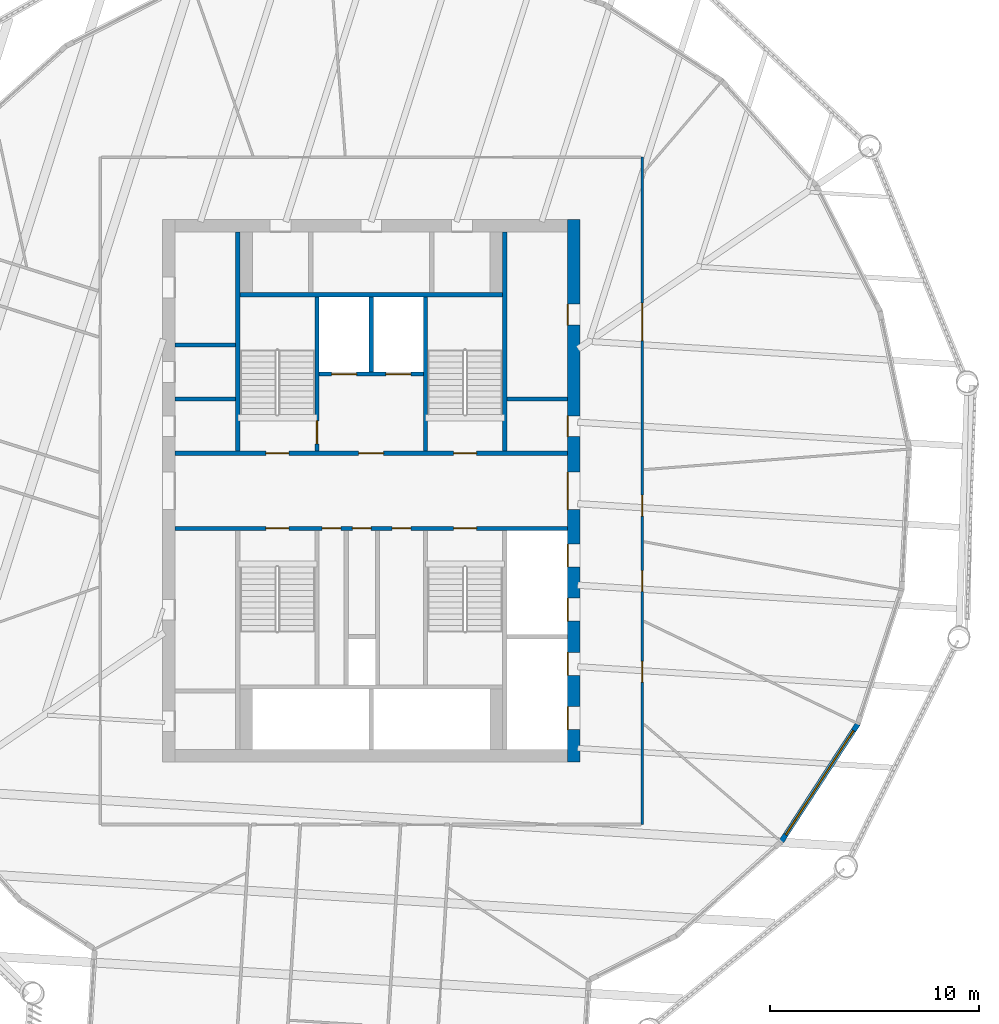
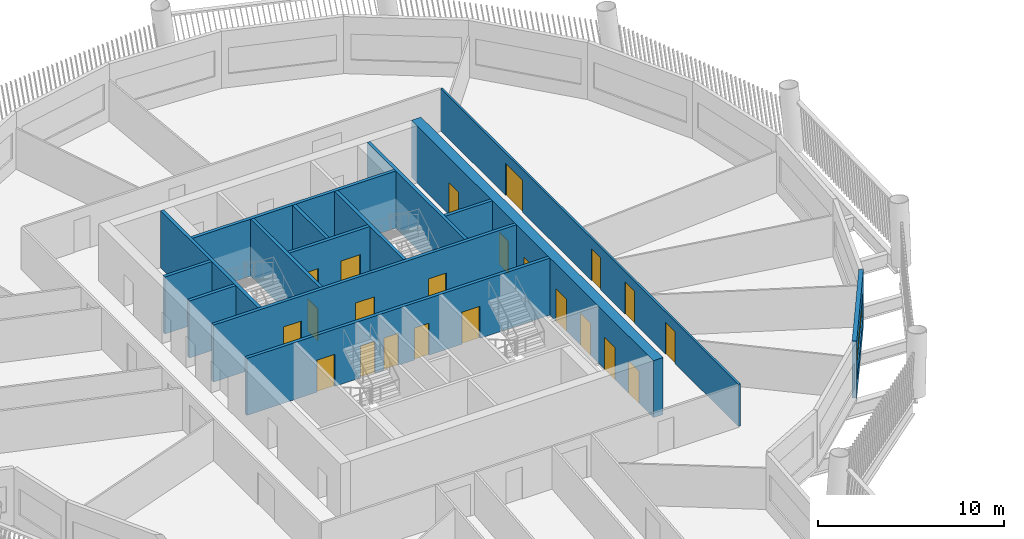
# One storey, part 5 of 15: 22 doors, 15 walls, 1 window, 23 openings.
"""IFC4 building model written with IfcOpenShell, lengths in metres."""

from ifc_helpers import new_model, si_unit, direction, frame, frame_2d, origin, place, context, subcontext, project, spatial, rectangle, extrude, material, layer, layer_set, type_object, element, fill, save


model = new_model("IFC4")

# Units and contexts
model_context = context("Model", 3, precision=1e-05, world=origin(), true_north=direction((0.0, 1.0)))
body_context = subcontext(model_context, "Body", "Model", "MODEL_VIEW")
ifc_project = project(units=[si_unit("LENGTHUNIT", "METRE"), si_unit("AREAUNIT", "SQUARE_METRE"), si_unit("VOLUMEUNIT", "CUBIC_METRE"), si_unit("PLANEANGLEUNIT", "RADIAN"), si_unit("MASSUNIT", "GRAM", prefix="KILO")], contexts=[model_context])

# Site, building, storey
site_placement = place(None, origin())
site = spatial("IfcSite", under=ifc_project, at=site_placement, CompositionType="ELEMENT")
building_placement = place(site_placement, origin())
building = spatial("IfcBuilding", under=site, at=building_placement, Name="Tarsis Ring Headquarters", CompositionType="ELEMENT")
storey_placement = place(building_placement, frame((0.0, 0.0, 212.10009765625)))
storey = spatial("IfcBuildingStorey", under=building, at=storey_placement, Name="L49", CompositionType="ELEMENT", Elevation=212.10009765625)

# Walls
ifc_material_1 = material(Name="Blockwork", Category="masonry")
ifc_layer_1 = layer(ifc_material_1, 0.199951171875)
ifc_layer_set_1 = layer_set([ifc_layer_1], Name="Core blockwork wall 200")
wall_type_1 = type_object("IfcWallType", Name="Core blockwork wall 200", PredefinedType="PARTITIONING", material=ifc_layer_set_1)
for number, where, z_axis, x_axis, name in (
    (1, (-9.39990234375, 4.39990234375, 0.0), (0.0, 0.0, 1.0), (1.0, 0.0, 0.0), "Core partition WD5"),
    (2, (-9.39990234375, 7.0, 0.0), (0.0, 0.0, 1.0), (1.0, 0.0, 0.0), "Core partition WD6"),
    (3, (6.5, 4.39990234375, 0.0), (0.0, 0.0, 1.0), (1.0, 0.0, 0.0), "Core partition ED5"),
):
    element("IfcWall", number, at=place(storey_placement, frame(where, z_axis=z_axis, x_axis=x_axis)), inside=storey, type_object=wall_type_1, Name=name, PredefinedType="PARTITIONING", context=body_context, shape_type="SweptSolid", body=[
        extrude(rectangle(XDim=2.89990234375, YDim=0.199951171875, at=frame_2d((1.449951171875, 0.0))), origin(), (0.0, 0.0, 1.0), 3.739990234375),
    ])

# Wall, openings, doors
ifc_material_2 = material(Name="Concrete C50/60", Category="concrete")
ifc_layer_2 = layer(ifc_material_2, 0.60009765625)
ifc_layer_set_2 = layer_set([ifc_layer_2], Name="Core wall 600 C50/60")
wall_type_2 = type_object("IfcWallType", Name="Core wall 600 C50/60", PredefinedType="SHEAR", material=ifc_layer_set_2)
wall_1_placement = place(storey_placement, frame((9.699951171875, -13.0, 0.0), z_axis=(0.0, 0.0, 1.0), x_axis=(0.0, 1.0, 0.0)))
wall_1 = element("IfcWall", 4, at=wall_1_placement, inside=storey, type_object=wall_type_2, Name="Core wall OE", PredefinedType="SHEAR", context=body_context, shape_type="SweptSolid", body=[
    extrude(rectangle(XDim=26.0, YDim=0.60009765625, at=frame_2d((13.0, 0.0))), origin(), (0.0, 0.0, 1.0), 3.739990234375),
])
opening_1_placement = place(wall_1_placement, frame((1.550048828125, 0.0, 0.0)))
opening_1 = element("IfcOpeningElement", 5, at=opening_1_placement, cuts=wall_1, Name="Opening LD-MR1", PredefinedType="OPENING", context=body_context, shape_type="SweptSolid", body=[
    extrude(rectangle(XDim=1.10009765625, YDim=2.10009765625, at=frame_2d((0.550048828125, 1.050048828125))), frame((0.0, 0.31005859375, 0.0), z_axis=(0.0, -1.0, 0.0), x_axis=(1.0, 0.0, 0.0)), (0.0, 0.0, 1.0), 0.6201171875),
])
opening_2_placement = place(wall_1_placement, frame((4.14990234375, 0.0, 0.0)))
opening_2 = element("IfcOpeningElement", 6, at=opening_2_placement, cuts=wall_1, Name="Opening LD-MR2", PredefinedType="OPENING", context=body_context, shape_type="SweptSolid", body=[
    extrude(rectangle(XDim=1.10009765625, YDim=2.10009765625, at=frame_2d((0.550048828125, 1.050048828125))), frame((0.0, 0.31005859375, 0.0), z_axis=(0.0, -1.0, 0.0), x_axis=(1.0, 0.0, 0.0)), (0.0, 0.0, 1.0), 0.6201171875),
])
opening_3_placement = place(wall_1_placement, frame((6.75, 0.0, 0.0)))
opening_3 = element("IfcOpeningElement", 7, at=opening_3_placement, cuts=wall_1, Name="Opening LD-MR3", PredefinedType="OPENING", context=body_context, shape_type="SweptSolid", body=[
    extrude(rectangle(XDim=1.10009765625, YDim=2.10009765625, at=frame_2d((0.550048828125, 1.050048828125))), frame((0.0, 0.31005859375, 0.0), z_axis=(0.0, -1.0, 0.0), x_axis=(1.0, 0.0, 0.0)), (0.0, 0.0, 1.0), 0.6201171875),
])
opening_4_placement = place(wall_1_placement, frame((9.35009765625, 0.0, 0.0)))
opening_4 = element("IfcOpeningElement", 8, at=opening_4_placement, cuts=wall_1, Name="Opening LD-MR4", PredefinedType="OPENING", context=body_context, shape_type="SweptSolid", body=[
    extrude(rectangle(XDim=1.10009765625, YDim=2.10009765625, at=frame_2d((0.550048828125, 1.050048828125))), frame((0.0, 0.31005859375, 0.0), z_axis=(0.0, -1.0, 0.0), x_axis=(1.0, 0.0, 0.0)), (0.0, 0.0, 1.0), 0.6201171875),
])
opening_5_placement = place(wall_1_placement, frame((12.10009765625, 0.0, 0.0)))
opening_5 = element("IfcOpeningElement", 9, at=opening_5_placement, cuts=wall_1, Name="Opening L49-C11", PredefinedType="OPENING", context=body_context, shape_type="SweptSolid", body=[
    extrude(rectangle(XDim=1.800048828125, YDim=2.10009765625, at=frame_2d((0.89990234375, 1.050048828125))), frame((0.0, 0.31005859375, 0.0), z_axis=(0.0, -1.0, 0.0), x_axis=(1.0, 0.0, 0.0)), (0.0, 0.0, 1.0), 0.6201171875),
])
opening_6_placement = place(wall_1_placement, frame((15.60009765625, 0.0, 0.0)))
opening_6 = element("IfcOpeningElement", 10, at=opening_6_placement, cuts=wall_1, Name="Opening L49-C12", PredefinedType="OPENING", context=body_context, shape_type="SweptSolid", body=[
    extrude(rectangle(XDim=1.0, YDim=2.10009765625, at=frame_2d((0.5, 1.050048828125))), frame((0.0, 0.31005859375, 0.0), z_axis=(0.0, -1.0, 0.0), x_axis=(1.0, 0.0, 0.0)), (0.0, 0.0, 1.0), 0.6201171875),
])
opening_7_placement = place(wall_1_placement, frame((20.949951171875, 0.0, 0.0)))
opening_7 = element("IfcOpeningElement", 11, at=opening_7_placement, cuts=wall_1, Name="Opening L49-C13", PredefinedType="OPENING", context=body_context, shape_type="SweptSolid", body=[
    extrude(rectangle(XDim=1.0, YDim=2.10009765625, at=frame_2d((0.5, 1.050048828125))), frame((0.0, 0.31005859375, 0.0), z_axis=(0.0, -1.0, 0.0), x_axis=(1.0, 0.0, 0.0)), (0.0, 0.0, 1.0), 0.6201171875),
])
ifc_material_3 = material(Name="Steel S355", Category="steel")
door_type_1 = type_object("IfcDoorType", Name="Core entry door 1800x2100", OperationType="DOUBLE_DOOR_SINGLE_SWING", PredefinedType="DOOR", material=ifc_material_3)
door_1_placement = place(opening_5_placement, origin())
door_1 = element("IfcDoor", 12, at=door_1_placement, inside=storey, type_object=door_type_1, Name="Core entry door L49", OperationType="DOUBLE_DOOR_SINGLE_SWING", OverallHeight=2.10009765625, OverallWidth=1.800048828125, PredefinedType="DOOR", context=body_context, shape_type="SweptSolid", body=[
    extrude(rectangle(XDim=1.800048828125, YDim=2.10009765625, at=frame_2d((0.89990234375, 1.050048828125))), frame((0.0, 0.2998046875, 0.0), z_axis=(0.0, -1.0, 0.0), x_axis=(1.0, 0.0, 0.0)), (0.0, 0.0, 1.0), 0.050048828125),
])
fill(opening_5, door_1)
door_type_2 = type_object("IfcDoorType", Name="Core room door 1000x2100", OperationType="SINGLE_SWING_LEFT", PredefinedType="DOOR", material=ifc_material_3)
door_2_placement = place(opening_6_placement, origin())
door_2 = element("IfcDoor", 13, at=door_2_placement, inside=storey, type_object=door_type_2, Name="Core room door L49", OperationType="SINGLE_SWING_LEFT", OverallHeight=2.10009765625, OverallWidth=1.0, PredefinedType="DOOR", context=body_context, shape_type="SweptSolid", body=[
    extrude(rectangle(XDim=1.0, YDim=2.10009765625, at=frame_2d((0.5, 1.050048828125))), frame((0.0, 0.2998046875, 0.0), z_axis=(0.0, -1.0, 0.0), x_axis=(1.0, 0.0, 0.0)), (0.0, 0.0, 1.0), 0.050048828125),
])
fill(opening_6, door_2)
door_3_placement = place(opening_7_placement, origin())
door_3 = element("IfcDoor", 14, at=door_3_placement, inside=storey, type_object=door_type_2, Name="Core room door L49", OperationType="SINGLE_SWING_LEFT", OverallHeight=2.10009765625, OverallWidth=1.0, PredefinedType="DOOR", context=body_context, shape_type="SweptSolid", body=[
    extrude(rectangle(XDim=1.0, YDim=2.10009765625, at=frame_2d((0.5, 1.050048828125))), frame((0.0, 0.2998046875, 0.0), z_axis=(0.0, -1.0, 0.0), x_axis=(1.0, 0.0, 0.0)), (0.0, 0.0, 1.0), 0.050048828125),
])
fill(opening_7, door_3)
door_type_3 = type_object("IfcDoorType", Name="Landing door 1100x2100", OperationType="SLIDING_TO_LEFT", PredefinedType="DOOR", material=ifc_material_3)
door_4_placement = place(opening_1_placement, origin())
door_4 = element("IfcDoor", 15, at=door_4_placement, inside=storey, type_object=door_type_3, Name="Landing door MR1 L49", OperationType="SLIDING_TO_LEFT", OverallHeight=2.10009765625, OverallWidth=1.10009765625, PredefinedType="DOOR", context=body_context, shape_type="SweptSolid", body=[
    extrude(rectangle(XDim=1.10009765625, YDim=2.10009765625, at=frame_2d((0.550048828125, 1.050048828125))), frame((0.0, 0.2998046875, 0.0), z_axis=(0.0, -1.0, 0.0), x_axis=(1.0, 0.0, 0.0)), (0.0, 0.0, 1.0), 0.050048828125),
])
fill(opening_1, door_4)
door_5_placement = place(opening_2_placement, origin())
door_5 = element("IfcDoor", 16, at=door_5_placement, inside=storey, type_object=door_type_3, Name="Landing door MR2 L49", OperationType="SLIDING_TO_LEFT", OverallHeight=2.10009765625, OverallWidth=1.10009765625, PredefinedType="DOOR", context=body_context, shape_type="SweptSolid", body=[
    extrude(rectangle(XDim=1.10009765625, YDim=2.10009765625, at=frame_2d((0.550048828125, 1.050048828125))), frame((0.0, 0.2998046875, 0.0), z_axis=(0.0, -1.0, 0.0), x_axis=(1.0, 0.0, 0.0)), (0.0, 0.0, 1.0), 0.050048828125),
])
fill(opening_2, door_5)
door_6_placement = place(opening_3_placement, origin())
door_6 = element("IfcDoor", 17, at=door_6_placement, inside=storey, type_object=door_type_3, Name="Landing door MR3 L49", OperationType="SLIDING_TO_LEFT", OverallHeight=2.10009765625, OverallWidth=1.10009765625, PredefinedType="DOOR", context=body_context, shape_type="SweptSolid", body=[
    extrude(rectangle(XDim=1.10009765625, YDim=2.10009765625, at=frame_2d((0.550048828125, 1.050048828125))), frame((0.0, 0.2998046875, 0.0), z_axis=(0.0, -1.0, 0.0), x_axis=(1.0, 0.0, 0.0)), (0.0, 0.0, 1.0), 0.050048828125),
])
fill(opening_3, door_6)
door_7_placement = place(opening_4_placement, origin())
door_7 = element("IfcDoor", 18, at=door_7_placement, inside=storey, type_object=door_type_3, Name="Landing door MR4 L49", OperationType="SLIDING_TO_LEFT", OverallHeight=2.10009765625, OverallWidth=1.10009765625, PredefinedType="DOOR", context=body_context, shape_type="SweptSolid", body=[
    extrude(rectangle(XDim=1.10009765625, YDim=2.10009765625, at=frame_2d((0.550048828125, 1.050048828125))), frame((0.0, 0.2998046875, 0.0), z_axis=(0.0, -1.0, 0.0), x_axis=(1.0, 0.0, 0.0)), (0.0, 0.0, 1.0), 0.050048828125),
])
fill(opening_4, door_7)

ifc_material_4 = material(Name="Gypsum board on steel studs", Category="steel")
ifc_layer_3 = layer(ifc_material_4, 0.125)
ifc_layer_set_3 = layer_set([ifc_layer_3], Name="FL partition 125 EI 60 H2770")
wall_type_3 = type_object("IfcWallType", Name="FL partition 125 EI 60 H2770", PredefinedType="PARTITIONING", material=ifc_layer_set_3)
wall_2_placement = place(storey_placement, frame((13.0, -16.0, 0.0), z_axis=(0.0, 0.0, 1.0), x_axis=(0.0, 1.0, 0.0)))
wall_2 = element("IfcWall", 19, at=wall_2_placement, inside=storey, type_object=wall_type_3, Name="Partition PW1", PredefinedType="PARTITIONING", context=body_context, shape_type="SweptSolid", body=[
    extrude(rectangle(XDim=32.0, YDim=0.125, at=frame_2d((16.0, 0.0))), origin(), (0.0, 0.0, 1.0), 2.77001953125),
])
opening_8_placement = place(wall_2_placement, frame((23.19921875, 0.0, 0.0)))
opening_8 = element("IfcOpeningElement", 20, at=opening_8_placement, cuts=wall_2, Name="Opening D49.06", PredefinedType="OPENING", context=body_context, shape_type="SweptSolid", body=[
    extrude(rectangle(XDim=1.800048828125, YDim=2.10009765625, at=frame_2d((0.89990234375, 1.050048828125))), frame((0.0, 0.072509765625, 0.0), z_axis=(0.0, -1.0, 0.0), x_axis=(1.0, 0.0, 0.0)), (0.0, 0.0, 1.0), 0.14501953125),
])
opening_9_placement = place(wall_2_placement, frame((14.79296875, 0.0, 0.0)))
opening_9 = element("IfcOpeningElement", 21, at=opening_9_placement, cuts=wall_2, Name="Opening D49.07", PredefinedType="OPENING", context=body_context, shape_type="SweptSolid", body=[
    extrude(rectangle(XDim=1.0, YDim=2.10009765625, at=frame_2d((0.5, 1.050048828125))), frame((0.0, 0.072509765625, 0.0), z_axis=(0.0, -1.0, 0.0), x_axis=(1.0, 0.0, 0.0)), (0.0, 0.0, 1.0), 0.14501953125),
])
opening_10_placement = place(wall_2_placement, frame((11.1796875, 0.0, 0.0)))
opening_10 = element("IfcOpeningElement", 22, at=opening_10_placement, cuts=wall_2, Name="Opening D49.08", PredefinedType="OPENING", context=body_context, shape_type="SweptSolid", body=[
    extrude(rectangle(XDim=1.0, YDim=2.10009765625, at=frame_2d((0.5, 1.050048828125))), frame((0.0, 0.072509765625, 0.0), z_axis=(0.0, -1.0, 0.0), x_axis=(1.0, 0.0, 0.0)), (0.0, 0.0, 1.0), 0.14501953125),
])
opening_11_placement = place(wall_2_placement, frame((6.827880859375, 0.0, 0.0)))
opening_11 = element("IfcOpeningElement", 23, at=opening_11_placement, cuts=wall_2, Name="Opening D49.09", PredefinedType="OPENING", context=body_context, shape_type="SweptSolid", body=[
    extrude(rectangle(XDim=1.0, YDim=2.10009765625, at=frame_2d((0.5, 1.050048828125))), frame((0.0, 0.072509765625, 0.0), z_axis=(0.0, -1.0, 0.0), x_axis=(1.0, 0.0, 0.0)), (0.0, 0.0, 1.0), 0.14501953125),
])
ifc_material_5 = material(Name="Fire-rated timber door leaf in steel frame", Category="steel")
door_type_4 = type_object("IfcDoorType", Name="FL door FD60-1000", OperationType="NOTDEFINED", PredefinedType="DOOR", material=ifc_material_5)
door_8_placement = place(opening_9_placement, origin())
door_8 = element("IfcDoor", 24, at=door_8_placement, inside=storey, type_object=door_type_4, Name="Door D49.07", OperationType="SINGLE_SWING_RIGHT", OverallHeight=2.10009765625, OverallWidth=1.0, PredefinedType="DOOR", context=body_context, shape_type="SweptSolid", body=[
    extrude(rectangle(XDim=1.0, YDim=2.10009765625, at=frame_2d((0.5, 1.050048828125))), frame((0.0, 0.02490234375, 0.0), z_axis=(0.0, -1.0, 0.0), x_axis=(1.0, 0.0, 0.0)), (0.0, 0.0, 1.0), 0.050048828125),
])
fill(opening_9, door_8)
door_9_placement = place(opening_10_placement, origin())
door_9 = element("IfcDoor", 25, at=door_9_placement, inside=storey, type_object=door_type_4, Name="Door D49.08", OperationType="SINGLE_SWING_LEFT", OverallHeight=2.10009765625, OverallWidth=1.0, PredefinedType="DOOR", context=body_context, shape_type="SweptSolid", body=[
    extrude(rectangle(XDim=1.0, YDim=2.10009765625, at=frame_2d((0.5, 1.050048828125))), frame((0.0, 0.02490234375, 0.0), z_axis=(0.0, -1.0, 0.0), x_axis=(1.0, 0.0, 0.0)), (0.0, 0.0, 1.0), 0.050048828125),
])
fill(opening_10, door_9)
door_10_placement = place(opening_11_placement, origin())
door_10 = element("IfcDoor", 26, at=door_10_placement, inside=storey, type_object=door_type_4, Name="Door D49.09", OperationType="SINGLE_SWING_RIGHT", OverallHeight=2.10009765625, OverallWidth=1.0, PredefinedType="DOOR", context=body_context, shape_type="SweptSolid", body=[
    extrude(rectangle(XDim=1.0, YDim=2.10009765625, at=frame_2d((0.5, 1.050048828125))), frame((0.0, 0.02490234375, 0.0), z_axis=(0.0, -1.0, 0.0), x_axis=(1.0, 0.0, 0.0)), (0.0, 0.0, 1.0), 0.050048828125),
])
fill(opening_11, door_10)
door_type_5 = type_object("IfcDoorType", Name="FL door FD60-1800", OperationType="DOUBLE_DOOR_SINGLE_SWING", PredefinedType="DOOR", material=ifc_material_5)
door_11_placement = place(opening_8_placement, origin())
door_11 = element("IfcDoor", 27, at=door_11_placement, inside=storey, type_object=door_type_5, Name="Door D49.06", OperationType="DOUBLE_DOOR_SINGLE_SWING", OverallHeight=2.10009765625, OverallWidth=1.800048828125, PredefinedType="DOOR", context=body_context, shape_type="SweptSolid", body=[
    extrude(rectangle(XDim=1.800048828125, YDim=2.10009765625, at=frame_2d((0.89990234375, 1.050048828125))), frame((0.0, 0.02490234375, 0.0), z_axis=(0.0, -1.0, 0.0), x_axis=(1.0, 0.0, 0.0)), (0.0, 0.0, 1.0), 0.050048828125),
])
fill(opening_8, door_11)

# Wall, opening, window
ifc_material_6 = material(Name="Terracotta clad insulated panel wall", Category="masonry")
ifc_layer_4 = layer(ifc_material_6, 0.25)
ifc_layer_set_4 = layer_set([ifc_layer_4], Name="Facade wall terracotta panel 250")
wall_type_4 = type_object("IfcWallType", Name="Facade wall terracotta panel 250", PredefinedType="STANDARD", material=ifc_layer_set_4)
wall_3_placement = place(storey_placement, frame((19.666015625, -16.810546875, 0.0), z_axis=(0.0, 0.0, 1.0), x_axis=(0.545521900857, 0.83809656704, 0.0)))
wall_3 = element("IfcWall", 28, at=wall_3_placement, inside=storey, type_object=wall_type_4, Name="External wall L49-19", PredefinedType="STANDARD", context=body_context, shape_type="SweptSolid", body=[
    extrude(rectangle(XDim=6.721435546875, YDim=0.25, at=frame_2d((3.36083984375, 0.0))), origin(), (0.0, 0.0, 1.0), 3.739990234375),
])
opening_12_placement = place(wall_3_placement, frame((0.3857421875, 0.0, 0.89990234375)))
opening_12 = element("IfcOpeningElement", 29, at=opening_12_placement, cuts=wall_3, Name="Opening WN07", PredefinedType="OPENING", context=body_context, shape_type="SweptSolid", body=[
    extrude(rectangle(XDim=5.949951171875, YDim=1.699951171875, at=frame_2d((2.97509765625, 0.85009765625))), frame((0.0, 0.135009765625, 0.0), z_axis=(0.0, -1.0, 0.0), x_axis=(1.0, 0.0, 0.0)), (0.0, 0.0, 1.0), 0.27001953125),
])
ifc_material_7 = material(Name="Aluminium framed double glazing", Category="aluminium")
window_type = type_object("IfcWindowType", Name="Facade window 5950 x 1700", PartitioningType="SINGLE_PANEL", PredefinedType="WINDOW", material=ifc_material_7)
window_placement = place(opening_12_placement, origin())
window = element("IfcWindow", 30, at=window_placement, inside=storey, type_object=window_type, Name="Window L49-19.1", OverallHeight=1.699951171875, OverallWidth=5.949951171875, PartitioningType="SINGLE_PANEL", PredefinedType="WINDOW", context=body_context, shape_type="SweptSolid", body=[
    extrude(rectangle(XDim=5.949951171875, YDim=1.699951171875, at=frame_2d((2.97509765625, 0.85009765625))), frame((0.0, 0.030029296875, 0.0), z_axis=(0.0, -1.0, 0.0), x_axis=(1.0, 0.0, 0.0)), (0.0, 0.0, 1.0), 0.06005859375),
])
fill(opening_12, window)

# Wall, openings, doors
ifc_material_8 = material(Name="Concrete C32/40", Category="concrete")
ifc_layer_5 = layer(ifc_material_8, 0.199951171875)
ifc_layer_set_5 = layer_set([ifc_layer_5], Name="Shaft wall 200 C32/40")
wall_type_5 = type_object("IfcWallType", Name="Shaft wall 200 C32/40", PredefinedType="SOLIDWALL", material=ifc_layer_set_5)
wall_4_placement = place(storey_placement, frame((-9.39990234375, 1.800048828125, 0.0), z_axis=(0.0, 0.0, 1.0), x_axis=(1.0, 0.0, 0.0)))
wall_4 = element("IfcWall", 31, at=wall_4_placement, inside=storey, type_object=wall_type_5, Name="Core shaft wall CN", PredefinedType="SOLIDWALL", context=body_context, shape_type="SweptSolid", body=[
    extrude(rectangle(XDim=18.7998046875, YDim=0.199951171875, at=frame_2d((9.39990234375, 0.0))), origin(), (0.0, 0.0, 1.0), 3.739990234375),
])
opening_13_placement = place(wall_4_placement, frame((4.35009765625, 0.0, 0.0)))
opening_13 = element("IfcOpeningElement", 32, at=opening_13_placement, cuts=wall_4, Name="Opening L49-C17", PredefinedType="OPENING", context=body_context, shape_type="SweptSolid", body=[
    extrude(rectangle(XDim=1.10009765625, YDim=2.10009765625, at=frame_2d((0.550048828125, 1.050048828125))), frame((0.0, 0.10986328125, 0.0), z_axis=(0.0, -1.0, 0.0), x_axis=(1.0, 0.0, 0.0)), (0.0, 0.0, 1.0), 0.219970703125),
])
opening_14_placement = place(wall_4_placement, frame((8.800048828125, 0.0, 0.0)))
opening_14 = element("IfcOpeningElement", 33, at=opening_14_placement, cuts=wall_4, Name="Opening L49-C18", PredefinedType="OPENING", context=body_context, shape_type="SweptSolid", body=[
    extrude(rectangle(XDim=1.199951171875, YDim=2.10009765625, at=frame_2d((0.60009765625, 1.050048828125))), frame((0.0, 0.10986328125, 0.0), z_axis=(0.0, -1.0, 0.0), x_axis=(1.0, 0.0, 0.0)), (0.0, 0.0, 1.0), 0.219970703125),
])
opening_15_placement = place(wall_4_placement, frame((13.35009765625, 0.0, 0.0)))
opening_15 = element("IfcOpeningElement", 34, at=opening_15_placement, cuts=wall_4, Name="Opening L49-C19", PredefinedType="OPENING", context=body_context, shape_type="SweptSolid", body=[
    extrude(rectangle(XDim=1.10009765625, YDim=2.10009765625, at=frame_2d((0.550048828125, 1.050048828125))), frame((0.0, 0.10986328125, 0.0), z_axis=(0.0, -1.0, 0.0), x_axis=(1.0, 0.0, 0.0)), (0.0, 0.0, 1.0), 0.219970703125),
])
door_type_6 = type_object("IfcDoorType", Name="Firefighting lobby door 1200x2100", OperationType="DOUBLE_DOOR_SINGLE_SWING", PredefinedType="DOOR", material=ifc_material_3)
door_12_placement = place(opening_14_placement, origin())
door_12 = element("IfcDoor", 35, at=door_12_placement, inside=storey, type_object=door_type_6, Name="Firefighting lobby door L49", OperationType="DOUBLE_DOOR_SINGLE_SWING", OverallHeight=2.10009765625, OverallWidth=1.199951171875, PredefinedType="DOOR", context=body_context, shape_type="SweptSolid", body=[
    extrude(rectangle(XDim=1.199951171875, YDim=2.10009765625, at=frame_2d((0.60009765625, 1.050048828125))), frame((0.0, 0.02490234375, 0.0), z_axis=(0.0, -1.0, 0.0), x_axis=(1.0, 0.0, 0.0)), (0.0, 0.0, 1.0), 0.050048828125),
])
fill(opening_14, door_12)
door_type_7 = type_object("IfcDoorType", Name="Stair door 1100x2100", OperationType="SINGLE_SWING_LEFT", PredefinedType="DOOR", material=ifc_material_3)
door_13_placement = place(opening_13_placement, origin())
door_13 = element("IfcDoor", 36, at=door_13_placement, inside=storey, type_object=door_type_7, Name="Stair door L49", OperationType="SINGLE_SWING_LEFT", OverallHeight=2.10009765625, OverallWidth=1.10009765625, PredefinedType="DOOR", context=body_context, shape_type="SweptSolid", body=[
    extrude(rectangle(XDim=1.10009765625, YDim=2.10009765625, at=frame_2d((0.550048828125, 1.050048828125))), frame((0.0, 0.02490234375, 0.0), z_axis=(0.0, -1.0, 0.0), x_axis=(1.0, 0.0, 0.0)), (0.0, 0.0, 1.0), 0.050048828125),
])
fill(opening_13, door_13)
door_14_placement = place(opening_15_placement, origin())
door_14 = element("IfcDoor", 37, at=door_14_placement, inside=storey, type_object=door_type_7, Name="Stair door L49", OperationType="SINGLE_SWING_LEFT", OverallHeight=2.10009765625, OverallWidth=1.10009765625, PredefinedType="DOOR", context=body_context, shape_type="SweptSolid", body=[
    extrude(rectangle(XDim=1.10009765625, YDim=2.10009765625, at=frame_2d((0.550048828125, 1.050048828125))), frame((0.0, 0.02490234375, 0.0), z_axis=(0.0, -1.0, 0.0), x_axis=(1.0, 0.0, 0.0)), (0.0, 0.0, 1.0), 0.050048828125),
])
fill(opening_15, door_14)

wall_5_placement = place(storey_placement, frame((-9.39990234375, -1.800048828125, 0.0), z_axis=(0.0, 0.0, 1.0), x_axis=(1.0, 0.0, 0.0)))
wall_5 = element("IfcWall", 38, at=wall_5_placement, inside=storey, type_object=wall_type_5, Name="Core shaft wall CS", PredefinedType="SOLIDWALL", context=body_context, shape_type="SweptSolid", body=[
    extrude(rectangle(XDim=18.7998046875, YDim=0.199951171875, at=frame_2d((9.39990234375, 0.0))), origin(), (0.0, 0.0, 1.0), 3.739990234375),
])
opening_16_placement = place(wall_5_placement, frame((4.35009765625, 0.0, 0.0)))
opening_16 = element("IfcOpeningElement", 39, at=opening_16_placement, cuts=wall_5, Name="Opening L49-C20", PredefinedType="OPENING", context=body_context, shape_type="SweptSolid", body=[
    extrude(rectangle(XDim=1.10009765625, YDim=2.10009765625, at=frame_2d((0.550048828125, 1.050048828125))), frame((0.0, 0.10986328125, 0.0), z_axis=(0.0, -1.0, 0.0), x_axis=(1.0, 0.0, 0.0)), (0.0, 0.0, 1.0), 0.219970703125),
])
opening_17_placement = place(wall_5_placement, frame((7.050048828125, 0.0, 0.0)))
opening_17 = element("IfcOpeningElement", 40, at=opening_17_placement, cuts=wall_5, Name="Opening L49-C21", PredefinedType="OPENING", context=body_context, shape_type="SweptSolid", body=[
    extrude(rectangle(XDim=0.89990234375, YDim=2.10009765625, at=frame_2d((0.449951171875, 1.050048828125))), frame((0.0, 0.10986328125, 0.0), z_axis=(0.0, -1.0, 0.0), x_axis=(1.0, 0.0, 0.0)), (0.0, 0.0, 1.0), 0.219970703125),
])
opening_18_placement = place(wall_5_placement, frame((8.5, 0.0, 0.0)))
opening_18 = element("IfcOpeningElement", 41, at=opening_18_placement, cuts=wall_5, Name="Opening L49-C22", PredefinedType="OPENING", context=body_context, shape_type="SweptSolid", body=[
    extrude(rectangle(XDim=0.89990234375, YDim=2.10009765625, at=frame_2d((0.449951171875, 1.050048828125))), frame((0.0, 0.10986328125, 0.0), z_axis=(0.0, -1.0, 0.0), x_axis=(1.0, 0.0, 0.0)), (0.0, 0.0, 1.0), 0.219970703125),
])
opening_19_placement = place(wall_5_placement, frame((10.39990234375, 0.0, 0.0)))
opening_19 = element("IfcOpeningElement", 42, at=opening_19_placement, cuts=wall_5, Name="Opening L49-C23", PredefinedType="OPENING", context=body_context, shape_type="SweptSolid", body=[
    extrude(rectangle(XDim=0.89990234375, YDim=2.10009765625, at=frame_2d((0.449951171875, 1.050048828125))), frame((0.0, 0.10986328125, 0.0), z_axis=(0.0, -1.0, 0.0), x_axis=(1.0, 0.0, 0.0)), (0.0, 0.0, 1.0), 0.219970703125),
])
opening_20_placement = place(wall_5_placement, frame((13.35009765625, 0.0, 0.0)))
opening_20 = element("IfcOpeningElement", 43, at=opening_20_placement, cuts=wall_5, Name="Opening L49-C24", PredefinedType="OPENING", context=body_context, shape_type="SweptSolid", body=[
    extrude(rectangle(XDim=1.10009765625, YDim=2.10009765625, at=frame_2d((0.550048828125, 1.050048828125))), frame((0.0, 0.10986328125, 0.0), z_axis=(0.0, -1.0, 0.0), x_axis=(1.0, 0.0, 0.0)), (0.0, 0.0, 1.0), 0.219970703125),
])
door_15_placement = place(opening_16_placement, origin())
door_15 = element("IfcDoor", 44, at=door_15_placement, inside=storey, type_object=door_type_7, Name="Stair door L49", OperationType="SINGLE_SWING_LEFT", OverallHeight=2.10009765625, OverallWidth=1.10009765625, PredefinedType="DOOR", context=body_context, shape_type="SweptSolid", body=[
    extrude(rectangle(XDim=1.10009765625, YDim=2.10009765625, at=frame_2d((0.550048828125, 1.050048828125))), frame((0.0, 0.02490234375, 0.0), z_axis=(0.0, -1.0, 0.0), x_axis=(1.0, 0.0, 0.0)), (0.0, 0.0, 1.0), 0.050048828125),
])
fill(opening_16, door_15)
door_16_placement = place(opening_20_placement, origin())
door_16 = element("IfcDoor", 45, at=door_16_placement, inside=storey, type_object=door_type_7, Name="Stair door L49", OperationType="SINGLE_SWING_LEFT", OverallHeight=2.10009765625, OverallWidth=1.10009765625, PredefinedType="DOOR", context=body_context, shape_type="SweptSolid", body=[
    extrude(rectangle(XDim=1.10009765625, YDim=2.10009765625, at=frame_2d((0.550048828125, 1.050048828125))), frame((0.0, 0.02490234375, 0.0), z_axis=(0.0, -1.0, 0.0), x_axis=(1.0, 0.0, 0.0)), (0.0, 0.0, 1.0), 0.050048828125),
])
fill(opening_20, door_16)
door_type_8 = type_object("IfcDoorType", Name="WC door 900x2100", OperationType="SINGLE_SWING_LEFT", PredefinedType="DOOR", material=ifc_material_3)
door_17_placement = place(opening_17_placement, origin())
door_17 = element("IfcDoor", 46, at=door_17_placement, inside=storey, type_object=door_type_8, Name="WC door L49", OperationType="SINGLE_SWING_LEFT", OverallHeight=2.10009765625, OverallWidth=0.89990234375, PredefinedType="DOOR", context=body_context, shape_type="SweptSolid", body=[
    extrude(rectangle(XDim=0.89990234375, YDim=2.10009765625, at=frame_2d((0.449951171875, 1.050048828125))), frame((0.0, 0.02490234375, 0.0), z_axis=(0.0, -1.0, 0.0), x_axis=(1.0, 0.0, 0.0)), (0.0, 0.0, 1.0), 0.050048828125),
])
fill(opening_17, door_17)
door_18_placement = place(opening_18_placement, origin())
door_18 = element("IfcDoor", 47, at=door_18_placement, inside=storey, type_object=door_type_8, Name="WC door L49", OperationType="SINGLE_SWING_LEFT", OverallHeight=2.10009765625, OverallWidth=0.89990234375, PredefinedType="DOOR", context=body_context, shape_type="SweptSolid", body=[
    extrude(rectangle(XDim=0.89990234375, YDim=2.10009765625, at=frame_2d((0.449951171875, 1.050048828125))), frame((0.0, 0.02490234375, 0.0), z_axis=(0.0, -1.0, 0.0), x_axis=(1.0, 0.0, 0.0)), (0.0, 0.0, 1.0), 0.050048828125),
])
fill(opening_18, door_18)
door_19_placement = place(opening_19_placement, origin())
door_19 = element("IfcDoor", 48, at=door_19_placement, inside=storey, type_object=door_type_8, Name="WC door L49", OperationType="SINGLE_SWING_LEFT", OverallHeight=2.10009765625, OverallWidth=0.89990234375, PredefinedType="DOOR", context=body_context, shape_type="SweptSolid", body=[
    extrude(rectangle(XDim=0.89990234375, YDim=2.10009765625, at=frame_2d((0.449951171875, 1.050048828125))), frame((0.0, 0.02490234375, 0.0), z_axis=(0.0, -1.0, 0.0), x_axis=(1.0, 0.0, 0.0)), (0.0, 0.0, 1.0), 0.050048828125),
])
fill(opening_19, door_19)

# Walls
for number, where, z_axis, x_axis, name in (
    (49, (-6.39990234375, 1.89990234375, 0.0), (0.0, 0.0, 1.0), (0.0, 1.0, 0.0), "Core shaft wall WB2"),
    (50, (6.39990234375, 1.89990234375, 0.0), (0.0, 0.0, 1.0), (0.0, 1.0, 0.0), "Core shaft wall EB2"),
):
    element("IfcWall", number, at=place(storey_placement, frame(where, z_axis=z_axis, x_axis=x_axis)), inside=storey, type_object=wall_type_5, Name=name, PredefinedType="SOLIDWALL", context=body_context, shape_type="SweptSolid", body=[
        extrude(rectangle(XDim=10.5, YDim=0.199951171875, at=frame_2d((5.25, 0.0))), origin(), (0.0, 0.0, 1.0), 3.739990234375),
    ])
wall_6_placement = place(storey_placement, frame((-6.300048828125, 9.39990234375, 0.0), z_axis=(0.0, 0.0, 1.0), x_axis=(1.0, 0.0, 0.0)))
element("IfcWall", 51, at=wall_6_placement, inside=storey, type_object=wall_type_5, Name="Core shaft wall NB", PredefinedType="SOLIDWALL", context=body_context, shape_type="SweptSolid", body=[
    extrude(rectangle(XDim=12.60009765625, YDim=0.199951171875, at=frame_2d((6.300048828125, 0.0))), origin(), (0.0, 0.0, 1.0), 3.739990234375),
])

# Wall, opening, door
wall_7_placement = place(storey_placement, frame((-2.60009765625, 1.89990234375, 0.0), z_axis=(0.0, 0.0, 1.0), x_axis=(0.0, 1.0, 0.0)))
wall_7 = element("IfcWall", 52, at=wall_7_placement, inside=storey, type_object=wall_type_5, Name="Core shaft wall SW1", PredefinedType="SOLIDWALL", context=body_context, shape_type="SweptSolid", body=[
    extrude(rectangle(XDim=7.400146484375, YDim=0.199951171875, at=frame_2d((3.7001953125, 0.0))), origin(), (0.0, 0.0, 1.0), 3.739990234375),
])
opening_21_placement = place(wall_7_placement, frame((0.35009765625, 0.0, 0.0)))
opening_21 = element("IfcOpeningElement", 53, at=opening_21_placement, cuts=wall_7, Name="Opening L49-C25", PredefinedType="OPENING", context=body_context, shape_type="SweptSolid", body=[
    extrude(rectangle(XDim=1.10009765625, YDim=2.10009765625, at=frame_2d((0.550048828125, 1.050048828125))), frame((0.0, 0.10986328125, 0.0), z_axis=(0.0, -1.0, 0.0), x_axis=(1.0, 0.0, 0.0)), (0.0, 0.0, 1.0), 0.219970703125),
])
door_20_placement = place(opening_21_placement, origin())
door_20 = element("IfcDoor", 54, at=door_20_placement, inside=storey, type_object=door_type_7, Name="Stair door L49", OperationType="SINGLE_SWING_LEFT", OverallHeight=2.10009765625, OverallWidth=1.10009765625, PredefinedType="DOOR", context=body_context, shape_type="SweptSolid", body=[
    extrude(rectangle(XDim=1.10009765625, YDim=2.10009765625, at=frame_2d((0.550048828125, 1.050048828125))), frame((0.0, 0.02490234375, 0.0), z_axis=(0.0, -1.0, 0.0), x_axis=(1.0, 0.0, 0.0)), (0.0, 0.0, 1.0), 0.050048828125),
])
fill(opening_21, door_20)

# Wall
wall_8_placement = place(storey_placement, frame((2.60009765625, 1.89990234375, 0.0), z_axis=(0.0, 0.0, 1.0), x_axis=(0.0, 1.0, 0.0)))
element("IfcWall", 55, at=wall_8_placement, inside=storey, type_object=wall_type_5, Name="Core shaft wall SW2", PredefinedType="SOLIDWALL", context=body_context, shape_type="SweptSolid", body=[
    extrude(rectangle(XDim=7.400146484375, YDim=0.199951171875, at=frame_2d((3.7001953125, 0.0))), origin(), (0.0, 0.0, 1.0), 3.739990234375),
])

# Wall, openings, doors
wall_9_placement = place(storey_placement, frame((-2.5, 5.60009765625, 0.0), z_axis=(0.0, 0.0, 1.0), x_axis=(1.0, 0.0, 0.0)))
wall_9 = element("IfcWall", 56, at=wall_9_placement, inside=storey, type_object=wall_type_5, Name="Core shaft wall FFN", PredefinedType="SOLIDWALL", context=body_context, shape_type="SweptSolid", body=[
    extrude(rectangle(XDim=5.0, YDim=0.199951171875, at=frame_2d((2.5, 0.0))), origin(), (0.0, 0.0, 1.0), 3.739990234375),
])
opening_22_placement = place(wall_9_placement, frame((0.60009765625, 0.0, 0.0)))
opening_22 = element("IfcOpeningElement", 57, at=opening_22_placement, cuts=wall_9, Name="Opening LDF-1", PredefinedType="OPENING", context=body_context, shape_type="SweptSolid", body=[
    extrude(rectangle(XDim=1.199951171875, YDim=2.10009765625, at=frame_2d((0.60009765625, 1.050048828125))), frame((0.0, 0.10986328125, 0.0), z_axis=(0.0, -1.0, 0.0), x_axis=(1.0, 0.0, 0.0)), (0.0, 0.0, 1.0), 0.219970703125),
])
opening_23_placement = place(wall_9_placement, frame((3.199951171875, 0.0, 0.0)))
opening_23 = element("IfcOpeningElement", 58, at=opening_23_placement, cuts=wall_9, Name="Opening LDF-2", PredefinedType="OPENING", context=body_context, shape_type="SweptSolid", body=[
    extrude(rectangle(XDim=1.199951171875, YDim=2.10009765625, at=frame_2d((0.60009765625, 1.050048828125))), frame((0.0, 0.10986328125, 0.0), z_axis=(0.0, -1.0, 0.0), x_axis=(1.0, 0.0, 0.0)), (0.0, 0.0, 1.0), 0.219970703125),
])
door_type_9 = type_object("IfcDoorType", Name="Firefighting landing door 1200x2100", OperationType="SLIDING_TO_LEFT", PredefinedType="DOOR", material=ifc_material_3)
door_21_placement = place(opening_22_placement, origin())
door_21 = element("IfcDoor", 59, at=door_21_placement, inside=storey, type_object=door_type_9, Name="Landing door FF1 L49", OperationType="SLIDING_TO_LEFT", OverallHeight=2.10009765625, OverallWidth=1.199951171875, PredefinedType="DOOR", context=body_context, shape_type="SweptSolid", body=[
    extrude(rectangle(XDim=1.199951171875, YDim=2.10009765625, at=frame_2d((0.60009765625, 1.050048828125))), frame((0.0, 0.02490234375, 0.0), z_axis=(0.0, -1.0, 0.0), x_axis=(1.0, 0.0, 0.0)), (0.0, 0.0, 1.0), 0.050048828125),
])
fill(opening_22, door_21)
door_22_placement = place(opening_23_placement, origin())
door_22 = element("IfcDoor", 60, at=door_22_placement, inside=storey, type_object=door_type_9, Name="Landing door FF2 L49", OperationType="SLIDING_TO_LEFT", OverallHeight=2.10009765625, OverallWidth=1.199951171875, PredefinedType="DOOR", context=body_context, shape_type="SweptSolid", body=[
    extrude(rectangle(XDim=1.199951171875, YDim=2.10009765625, at=frame_2d((0.60009765625, 1.050048828125))), frame((0.0, 0.02490234375, 0.0), z_axis=(0.0, -1.0, 0.0), x_axis=(1.0, 0.0, 0.0)), (0.0, 0.0, 1.0), 0.050048828125),
])
fill(opening_23, door_22)

# Wall
wall_10_placement = place(storey_placement, frame((0.0, 5.699951171875, 0.0), z_axis=(0.0, 0.0, 1.0), x_axis=(0.0, 1.0, 0.0)))
element("IfcWall", 61, at=wall_10_placement, inside=storey, type_object=wall_type_5, Name="Core shaft wall FFD", PredefinedType="SOLIDWALL", context=body_context, shape_type="SweptSolid", body=[
    extrude(rectangle(XDim=3.60009765625, YDim=0.199951171875, at=frame_2d((1.800048828125, 0.0))), origin(), (0.0, 0.0, 1.0), 3.739990234375),
])

save(model, "model.ifc")
